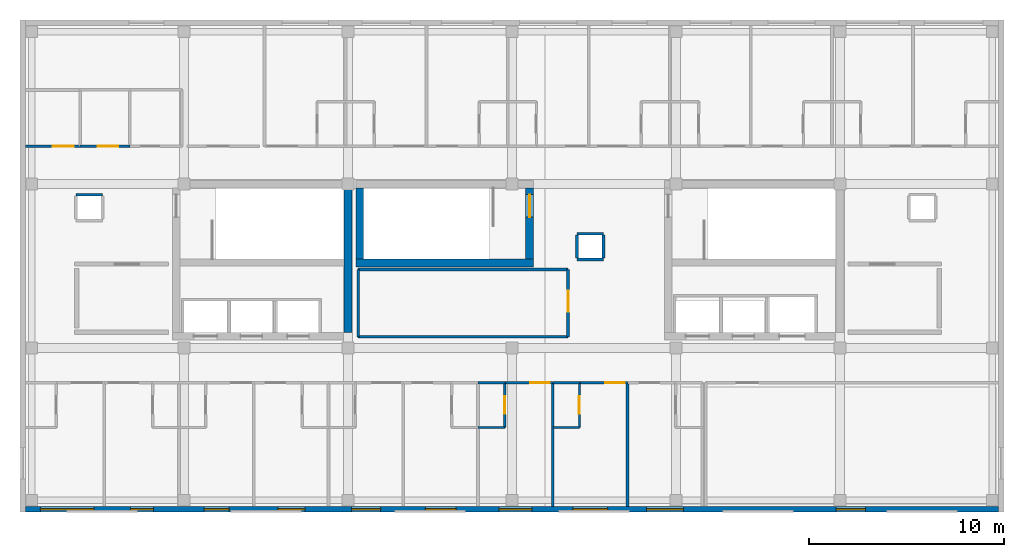
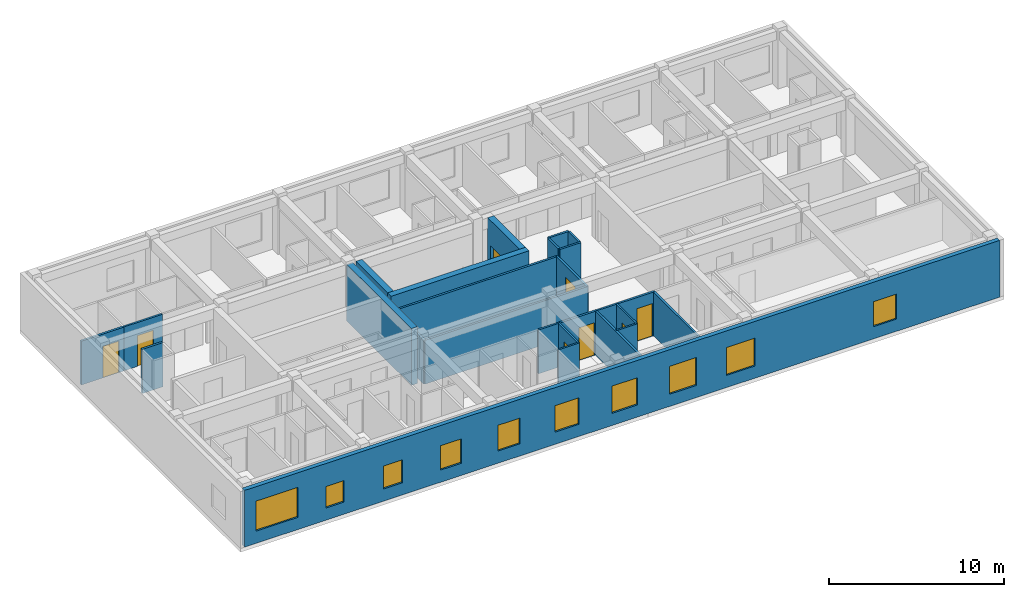
# One storey, part 3 of 7: 26 walls, 10 windows, 8 doors, 18 openings.
"""IFC4 building model written with IfcOpenShell, lengths in metres."""

import ifcopenshell
import ifcopenshell.guid

model = None  # the IFC model being written
_history = None  # IfcOwnerHistory: only IFC2X3 demands one
_inside = {}  # id of a spatial element -> (the spatial element, [elements in it])
_under = {}  # id of a project, library or spatial element -> (it, [spatial elements below it])
_declared = {}  # id of a project -> (the project, [libraries it declares])
_typed = {}  # id of a type object -> (the type object, [elements of that type])
_made_of = {}  # id of a material, layer set ... -> (it, [elements and type objects made of it])


def new_model(schema):
    """Start an empty IFC model of exactly this schema.

    Asked for "IFC4X3", IfcOpenShell would pick the latest addendum, in which some entities
    have other attributes; the version numbers below select the first issue.
    IFC2X3 requires an IfcOwnerHistory on every rooted entity: one is made here for all.
    """
    global model, _history
    if schema == "IFC4X3":
        model = ifcopenshell.file(schema_version=(4, 3, 0, 0))
    else:
        model = ifcopenshell.file(schema=schema)
    _inside.clear()
    _under.clear()
    _declared.clear()
    _typed.clear()
    _made_of.clear()
    _history = None
    if model.schema == "IFC2X3":
        org = make("IfcOrganization", Name="unknown")
        user = make(
            "IfcPersonAndOrganization",
            ThePerson=make("IfcPerson", FamilyName="unknown"),
            TheOrganization=org,
        )
        app = make(
            "IfcApplication",
            ApplicationDeveloper=org,
            Version="unknown",
            ApplicationFullName="unknown",
            ApplicationIdentifier="unknown",
        )
        _history = make(
            "IfcOwnerHistory",
            OwningUser=user,
            OwningApplication=app,
            ChangeAction="ADDED",
            CreationDate=0,
        )
    return model


def make(cls, **values):
    """One entity of the class cls with the attributes given. An attribute that is None is left unset."""
    return model.create_entity(
        cls, **{name: value for name, value in values.items() if value is not None}
    )


def rooted(cls, **values):
    """An entity with a GlobalId (a new one), such as an element, a storey or a relation."""
    return make(cls, GlobalId=ifcopenshell.guid.new(), OwnerHistory=_history, **values)


def si_unit(unit_type, name, prefix=None):
    """IfcSIUnit, for example si_unit("LENGTHUNIT", "METRE", prefix="MILLI")."""
    return make("IfcSIUnit", UnitType=unit_type, Prefix=prefix, Name=name)


def assignment(units):
    """IfcUnitAssignment: the units of a project."""
    return None if units is None else make("IfcUnitAssignment", Units=units)


def point(xyz):
    """IfcCartesianPoint."""
    return None if xyz is None else make("IfcCartesianPoint", Coordinates=xyz)


def direction(xyz):
    """IfcDirection."""
    return None if xyz is None else make("IfcDirection", DirectionRatios=xyz)


def frame(location, z_axis=None, x_axis=None):
    """IfcAxis2Placement3D, a coordinate frame: its origin and axes. An axis left out is left unset."""
    return make(
        "IfcAxis2Placement3D",
        Location=point(location),
        Axis=direction(z_axis),
        RefDirection=direction(x_axis),
    )


def frame_2d(location, x_axis=None):
    """IfcAxis2Placement2D, a coordinate frame in the plane: its origin and x axis."""
    return make(
        "IfcAxis2Placement2D", Location=point(location), RefDirection=direction(x_axis)
    )


def origin():
    """The frame at (0, 0, 0) with its axes left unset."""
    return frame((0.0, 0.0, 0.0))


def place(relative_to, where):
    """IfcLocalPlacement: puts the frame where relative to a parent placement (None: the world)."""
    return make(
        "IfcLocalPlacement", PlacementRelTo=relative_to, RelativePlacement=where
    )


def context(
    kind, dimensions, precision=None, world=None, true_north=None, identifier=None
):
    """IfcGeometricRepresentationContext, for example the 3D "Model" context."""
    return make(
        "IfcGeometricRepresentationContext",
        ContextIdentifier=identifier,
        ContextType=kind,
        CoordinateSpaceDimension=dimensions,
        Precision=precision,
        WorldCoordinateSystem=world,
        TrueNorth=true_north,
    )


def subcontext(parent, identifier, kind, view, scale=None):
    """IfcGeometricRepresentationSubContext, for example "Body" below "Model"."""
    return make(
        "IfcGeometricRepresentationSubContext",
        ContextIdentifier=identifier,
        ContextType=kind,
        ParentContext=parent,
        TargetScale=scale,
        TargetView=view,
    )


def project(units=None, contexts=None):
    """IfcProject with its units and contexts."""
    return rooted(
        "IfcProject",
        Name="project",
        RepresentationContexts=contexts,
        UnitsInContext=assignment(units),
    )


def spatial(cls, under=None, at=None, **own):
    """A site, building, storey or space (cls), placed at a placement, below another one or the project."""
    s = rooted(cls, ObjectPlacement=at, **own)
    if under is not None:
        _under.setdefault(under.id(), (under, []))[1].append(s)
    return s


def profile(cls, at=None, kind="AREA", **sizes):
    """A parametric profile (cls). Its sizes go by their IFC names, for example OverallWidth=200.0."""
    return make(cls, ProfileType=kind, Position=at, **sizes)


def rectangle(**sizes):
    """IfcRectangleProfileDef."""
    return profile("IfcRectangleProfileDef", **sizes)


def extrude(swept, where, along, depth):
    """IfcExtrudedAreaSolid: the profile swept, set in the frame where, extruded along a direction by depth."""
    return make(
        "IfcExtrudedAreaSolid",
        SweptArea=swept,
        Position=where,
        ExtrudedDirection=direction(along),
        Depth=depth,
    )


def shape(context_of_items, identifier, shape_type, items):
    """IfcShapeRepresentation: the items that make up one representation, for example the "Body"."""
    return make(
        "IfcShapeRepresentation",
        ContextOfItems=context_of_items,
        RepresentationIdentifier=identifier,
        RepresentationType=shape_type,
        Items=items,
    )


def material(Name=None, Category=None):
    """IfcMaterial."""
    return make("IfcMaterial", Name=Name, Category=Category)


def layer(
    of_material, thickness, ventilated=None, Name=None, Category=None, Priority=None
):
    """IfcMaterialLayer: one layer of a wall or slab, of a material (None: an air gap)."""
    return make(
        "IfcMaterialLayer",
        Material=of_material,
        LayerThickness=thickness,
        IsVentilated=ventilated,
        Name=Name,
        Category=Category,
        Priority=Priority,
    )


def layer_set(layers, Name=None):
    """IfcMaterialLayerSet."""
    return make("IfcMaterialLayerSet", MaterialLayers=layers, LayerSetName=Name)


def made_of(thing, what):
    """Note that an element or type object is made of a material, layer set ...; save() writes the relation."""
    if what is not None:
        _made_of.setdefault(what.id(), (what, []))[1].append(thing)
    return thing


def type_object(cls, material=None, **own):
    """A type object (cls), such as IfcWallType, which elements share."""
    return made_of(rooted(cls, **own), material)


def element(
    cls,
    number,
    at=None,
    inside=None,
    cuts=None,
    type_object=None,
    material=None,
    context=None,
    identifier="Body",
    shape_type=None,
    held_by="IfcProductDefinitionShape",
    body=None,
    shapes=None,
    **own,
):
    """One element of the class cls, such as IfcWall. Its Tag is "e" and its number.

    at: its placement. inside: the storey or other place that contains it. cuts: it is an
    opening in that element (IfcRelVoidsElement). A single representation is given by context,
    identifier, shape_type and body (its items); several are given by shapes. held_by: the class
    of the entity that holds the representations. save() writes the other relations.
    """
    e = rooted(cls, Tag="e%d" % number, ObjectPlacement=at, **own)
    if body is not None:
        shapes = [shape(context, identifier, shape_type, body)]
    if shapes is not None:
        e.Representation = make(held_by, Representations=shapes)
    if inside is not None:
        _inside.setdefault(inside.id(), (inside, []))[1].append(e)
    if cuts is not None:
        rooted(
            "IfcRelVoidsElement", RelatingBuildingElement=cuts, RelatedOpeningElement=e
        )
    if type_object is not None:
        _typed.setdefault(type_object.id(), (type_object, []))[1].append(e)
    return made_of(e, material)


def fill(opening, filler):
    """IfcRelFillsElement: the door or window that sits in an opening."""
    return rooted(
        "IfcRelFillsElement",
        RelatingOpeningElement=opening,
        RelatedBuildingElement=filler,
    )


def aggregate(whole, parts):
    """IfcRelAggregates: a whole, such as a stair, and the parts it consists of."""
    return rooted("IfcRelAggregates", RelatingObject=whole, RelatedObjects=parts)


def save(model, path):
    """Write the relations noted so far, then the file.

    IfcRelAggregates (storeys below a building ...), IfcRelContainedInSpatialStructure (elements
    in a storey), IfcRelDefinesByType, IfcRelAssociatesMaterial and IfcRelDeclares: one each for
    every whole, place, type object, material and project.
    """
    for whole, parts in _under.values():
        aggregate(whole, parts)
    for where, things in _inside.values():
        rooted(
            "IfcRelContainedInSpatialStructure",
            RelatedElements=things,
            RelatingStructure=where,
        )
    for kind, things in _typed.values():
        rooted("IfcRelDefinesByType", RelatedObjects=things, RelatingType=kind)
    for what, things in _made_of.values():
        rooted("IfcRelAssociatesMaterial", RelatedObjects=things, RelatingMaterial=what)
    for by, libraries in _declared.values():
        rooted("IfcRelDeclares", RelatingContext=by, RelatedDefinitions=libraries)
    model.write(path)


model = new_model("IFC4")

# Units and contexts
model_context = context("Model", 3, precision=1e-05, world=origin(), true_north=direction((0.0, 1.0)))
body_context = subcontext(model_context, "Body", "Model", "MODEL_VIEW")
ifc_project = project(units=[si_unit("LENGTHUNIT", "METRE"), si_unit("AREAUNIT", "SQUARE_METRE"), si_unit("VOLUMEUNIT", "CUBIC_METRE"), si_unit("PLANEANGLEUNIT", "RADIAN"), si_unit("MASSUNIT", "GRAM", prefix="KILO")], contexts=[model_context])

# Site, building, storey
site_placement = place(None, origin())
site = spatial("IfcSite", under=ifc_project, at=site_placement, CompositionType="ELEMENT")
building_placement = place(site_placement, origin())
building = spatial("IfcBuilding", under=site, at=building_placement, Name="Zayran Congress Hotel", CompositionType="ELEMENT")
storey_placement = place(building_placement, frame((0.0, 0.0, 44.39990234375)))
storey = spatial("IfcBuildingStorey", under=building, at=storey_placement, Name="L11", CompositionType="ELEMENT", Elevation=44.39990234375)

# Wall, openings, windows
ifc_material_1 = material(Name="Hajar Ma'ani limestone cavity wall and concrete C32/40", Category="masonry")
ifc_layer_1 = layer(ifc_material_1, 0.280029296875)
ifc_layer_set_1 = layer_set([ifc_layer_1], Name="Hajar Ma'ani limestone cavity wall and concrete C32/40")
wall_type_1 = type_object("IfcWallType", Name="WL-EX-280", PredefinedType="SOLIDWALL", material=ifc_layer_set_1)
wall_1_placement = place(storey_placement, frame((66.919921875, 8.93994140625, 0.0), z_axis=(0.0, 0.0, 1.0), x_axis=(-1.0, 0.0, 0.0)))
wall_1 = element("IfcWall", 1, at=wall_1_placement, inside=storey, type_object=wall_type_1, Name="EW-V5-S-L11", PredefinedType="SOLIDWALL", context=body_context, shape_type="SweptSolid", body=[
    extrude(rectangle(XDim=49.83984375, YDim=0.280029296875, at=frame_2d((24.919921875, 0.0))), origin(), (0.0, 0.0, 1.0), 3.960205078125),
])
opening_1_placement = place(wall_1_placement, frame((6.820068359375, 0.0, 0.85009765625)))
opening_1 = element("IfcOpeningElement", 2, at=opening_1_placement, cuts=wall_1, Name="Opening WN-06", PredefinedType="OPENING", context=body_context, shape_type="SweptSolid", body=[
    extrude(rectangle(XDim=1.5, YDim=1.75, at=frame_2d((0.75, 0.875))), frame((0.0, 0.14990234375, 0.0), z_axis=(0.0, -1.0, 0.0), x_axis=(1.0, 0.0, 0.0)), (0.0, 0.0, 1.0), 0.300048828125),
])
opening_2_placement = place(wall_1_placement, frame((46.3310546875, 0.0, 0.85009765625)))
opening_2 = element("IfcOpeningElement", 3, at=opening_2_placement, cuts=wall_1, Name="Opening WN-29", PredefinedType="OPENING", context=body_context, shape_type="SweptSolid", body=[
    extrude(rectangle(XDim=2.75, YDim=2.10009765625, at=frame_2d((1.375, 1.050048828125))), frame((0.0, 0.14990234375, 0.0), z_axis=(0.0, -1.0, 0.0), x_axis=(1.0, 0.0, 0.0)), (0.0, 0.0, 1.0), 0.300048828125),
])
opening_3_placement = place(wall_1_placement, frame((43.2880859375, 0.0, 0.85009765625)))
opening_3 = element("IfcOpeningElement", 4, at=opening_3_placement, cuts=wall_1, Name="Opening WN-31", PredefinedType="OPENING", context=body_context, shape_type="SweptSolid", body=[
    extrude(rectangle(XDim=1.179931640625, YDim=1.5, at=frame_2d((0.58984375, 0.75))), frame((0.0, 0.14990234375, 0.0), z_axis=(0.0, -1.0, 0.0), x_axis=(1.0, 0.0, 0.0)), (0.0, 0.0, 1.0), 0.300048828125),
])
opening_4_placement = place(wall_1_placement, frame((39.409912109375, 0.0, 0.85009765625)))
opening_4 = element("IfcOpeningElement", 5, at=opening_4_placement, cuts=wall_1, Name="Opening WN-32", PredefinedType="OPENING", context=body_context, shape_type="SweptSolid", body=[
    extrude(rectangle(XDim=1.280029296875, YDim=1.60009765625, at=frame_2d((0.64013671875, 0.800048828125))), frame((0.0, 0.14990234375, 0.0), z_axis=(0.0, -1.0, 0.0), x_axis=(1.0, 0.0, 0.0)), (0.0, 0.0, 1.0), 0.300048828125),
])
opening_5_placement = place(wall_1_placement, frame((35.532958984375, 0.0, 0.85009765625)))
opening_5 = element("IfcOpeningElement", 6, at=opening_5_placement, cuts=wall_1, Name="Opening WN-33", PredefinedType="OPENING", context=body_context, shape_type="SweptSolid", body=[
    extrude(rectangle(XDim=1.3798828125, YDim=1.699951171875, at=frame_2d((0.68994140625, 0.85009765625))), frame((0.0, 0.14990234375, 0.0), z_axis=(0.0, -1.0, 0.0), x_axis=(1.0, 0.0, 0.0)), (0.0, 0.0, 1.0), 0.300048828125),
])
opening_6_placement = place(wall_1_placement, frame((31.655029296875, 0.0, 0.85009765625)))
opening_6 = element("IfcOpeningElement", 7, at=opening_6_placement, cuts=wall_1, Name="Opening WN-34", PredefinedType="OPENING", context=body_context, shape_type="SweptSolid", body=[
    extrude(rectangle(XDim=1.47998046875, YDim=1.800048828125, at=frame_2d((0.739990234375, 0.89990234375))), frame((0.0, 0.14990234375, 0.0), z_axis=(0.0, -1.0, 0.0), x_axis=(1.0, 0.0, 0.0)), (0.0, 0.0, 1.0), 0.300048828125),
])
opening_7_placement = place(wall_1_placement, frame((27.777099609375, 0.0, 0.85009765625)))
opening_7 = element("IfcOpeningElement", 8, at=opening_7_placement, cuts=wall_1, Name="Opening WN-35", PredefinedType="OPENING", context=body_context, shape_type="SweptSolid", body=[
    extrude(rectangle(XDim=1.580078125, YDim=1.85009765625, at=frame_2d((0.7900390625, 0.925048828125))), frame((0.0, 0.14990234375, 0.0), z_axis=(0.0, -1.0, 0.0), x_axis=(1.0, 0.0, 0.0)), (0.0, 0.0, 1.0), 0.300048828125),
])
opening_8_placement = place(wall_1_placement, frame((23.89892578125, 0.0, 0.85009765625)))
opening_8 = element("IfcOpeningElement", 9, at=opening_8_placement, cuts=wall_1, Name="Opening WN-36", PredefinedType="OPENING", context=body_context, shape_type="SweptSolid", body=[
    extrude(rectangle(XDim=1.679931640625, YDim=1.89990234375, at=frame_2d((0.83984375, 0.949951171875))), frame((0.0, 0.14990234375, 0.0), z_axis=(0.0, -1.0, 0.0), x_axis=(1.0, 0.0, 0.0)), (0.0, 0.0, 1.0), 0.300048828125),
])
opening_9_placement = place(wall_1_placement, frame((20.02197265625, 0.0, 0.85009765625)))
opening_9 = element("IfcOpeningElement", 10, at=opening_9_placement, cuts=wall_1, Name="Opening WN-37", PredefinedType="OPENING", context=body_context, shape_type="SweptSolid", body=[
    extrude(rectangle(XDim=1.780029296875, YDim=1.949951171875, at=frame_2d((0.89013671875, 0.97509765625))), frame((0.0, 0.14990234375, 0.0), z_axis=(0.0, -1.0, 0.0), x_axis=(1.0, 0.0, 0.0)), (0.0, 0.0, 1.0), 0.300048828125),
])
opening_10_placement = place(wall_1_placement, frame((16.14404296875, 0.0, 0.85009765625)))
opening_10 = element("IfcOpeningElement", 11, at=opening_10_placement, cuts=wall_1, Name="Opening WN-38", PredefinedType="OPENING", context=body_context, shape_type="SweptSolid", body=[
    extrude(rectangle(XDim=1.8798828125, YDim=1.949951171875, at=frame_2d((0.93994140625, 0.97509765625))), frame((0.0, 0.14990234375, 0.0), z_axis=(0.0, -1.0, 0.0), x_axis=(1.0, 0.0, 0.0)), (0.0, 0.0, 1.0), 0.300048828125),
])
ifc_material_2 = material(Name="Anodised aluminium and low-E insulated glass", Category="aluminium")
window_type_1 = type_object("IfcWindowType", Name="TP-WN-06", PartitioningType="SINGLE_PANEL", PredefinedType="WINDOW", material=ifc_material_2)
window_1_placement = place(opening_1_placement, origin())
window_1 = element("IfcWindow", 12, at=window_1_placement, inside=storey, type_object=window_type_1, Name="WIN-V5S-L11-0465", OverallHeight=1.75, OverallWidth=1.5, PartitioningType="SINGLE_PANEL", PredefinedType="WINDOW", context=body_context, shape_type="SweptSolid", body=[
    extrude(rectangle(XDim=1.5, YDim=1.75, at=frame_2d((0.75, 0.875))), frame((0.0, 0.030029296875, 0.0), z_axis=(0.0, -1.0, 0.0), x_axis=(1.0, 0.0, 0.0)), (0.0, 0.0, 1.0), 0.06005859375),
])
fill(opening_1, window_1)
window_type_2 = type_object("IfcWindowType", Name="TP-WN-29", PartitioningType="TRIPLE_PANEL_VERTICAL", PredefinedType="WINDOW", material=ifc_material_2)
window_2_placement = place(opening_2_placement, origin())
window_2 = element("IfcWindow", 13, at=window_2_placement, inside=storey, type_object=window_type_2, Name="WIN-V5S-L11-0466", OverallHeight=2.10009765625, OverallWidth=2.75, PartitioningType="SINGLE_PANEL", PredefinedType="WINDOW", context=body_context, shape_type="SweptSolid", body=[
    extrude(rectangle(XDim=2.75, YDim=2.10009765625, at=frame_2d((1.375, 1.050048828125))), frame((0.0, 0.030029296875, 0.0), z_axis=(0.0, -1.0, 0.0), x_axis=(1.0, 0.0, 0.0)), (0.0, 0.0, 1.0), 0.06005859375),
])
fill(opening_2, window_2)
window_type_3 = type_object("IfcWindowType", Name="TP-WN-31", PartitioningType="SINGLE_PANEL", PredefinedType="WINDOW", material=ifc_material_2)
window_3_placement = place(opening_3_placement, origin())
window_3 = element("IfcWindow", 14, at=window_3_placement, inside=storey, type_object=window_type_3, Name="WIN-V5S-L11-0467", OverallHeight=1.5, OverallWidth=1.179931640625, PartitioningType="SINGLE_PANEL", PredefinedType="WINDOW", context=body_context, shape_type="SweptSolid", body=[
    extrude(rectangle(XDim=1.179931640625, YDim=1.5, at=frame_2d((0.58984375, 0.75))), frame((0.0, 0.030029296875, 0.0), z_axis=(0.0, -1.0, 0.0), x_axis=(1.0, 0.0, 0.0)), (0.0, 0.0, 1.0), 0.06005859375),
])
fill(opening_3, window_3)
window_type_4 = type_object("IfcWindowType", Name="TP-WN-32", PartitioningType="SINGLE_PANEL", PredefinedType="WINDOW", material=ifc_material_2)
window_4_placement = place(opening_4_placement, origin())
window_4 = element("IfcWindow", 15, at=window_4_placement, inside=storey, type_object=window_type_4, Name="WIN-V5S-L11-0468", OverallHeight=1.60009765625, OverallWidth=1.280029296875, PartitioningType="SINGLE_PANEL", PredefinedType="WINDOW", context=body_context, shape_type="SweptSolid", body=[
    extrude(rectangle(XDim=1.280029296875, YDim=1.60009765625, at=frame_2d((0.64013671875, 0.800048828125))), frame((0.0, 0.030029296875, 0.0), z_axis=(0.0, -1.0, 0.0), x_axis=(1.0, 0.0, 0.0)), (0.0, 0.0, 1.0), 0.06005859375),
])
fill(opening_4, window_4)
window_type_5 = type_object("IfcWindowType", Name="TP-WN-33", PartitioningType="SINGLE_PANEL", PredefinedType="WINDOW", material=ifc_material_2)
window_5_placement = place(opening_5_placement, origin())
window_5 = element("IfcWindow", 16, at=window_5_placement, inside=storey, type_object=window_type_5, Name="WIN-V5S-L11-0469", OverallHeight=1.699951171875, OverallWidth=1.3798828125, PartitioningType="SINGLE_PANEL", PredefinedType="WINDOW", context=body_context, shape_type="SweptSolid", body=[
    extrude(rectangle(XDim=1.3798828125, YDim=1.699951171875, at=frame_2d((0.68994140625, 0.85009765625))), frame((0.0, 0.030029296875, 0.0), z_axis=(0.0, -1.0, 0.0), x_axis=(1.0, 0.0, 0.0)), (0.0, 0.0, 1.0), 0.06005859375),
])
fill(opening_5, window_5)
window_type_6 = type_object("IfcWindowType", Name="TP-WN-34", PartitioningType="SINGLE_PANEL", PredefinedType="WINDOW", material=ifc_material_2)
window_6_placement = place(opening_6_placement, origin())
window_6 = element("IfcWindow", 17, at=window_6_placement, inside=storey, type_object=window_type_6, Name="WIN-V5S-L11-0470", OverallHeight=1.800048828125, OverallWidth=1.47998046875, PartitioningType="SINGLE_PANEL", PredefinedType="WINDOW", context=body_context, shape_type="SweptSolid", body=[
    extrude(rectangle(XDim=1.47998046875, YDim=1.800048828125, at=frame_2d((0.739990234375, 0.89990234375))), frame((0.0, 0.030029296875, 0.0), z_axis=(0.0, -1.0, 0.0), x_axis=(1.0, 0.0, 0.0)), (0.0, 0.0, 1.0), 0.06005859375),
])
fill(opening_6, window_6)
window_type_7 = type_object("IfcWindowType", Name="TP-WN-35", PartitioningType="DOUBLE_PANEL_VERTICAL", PredefinedType="WINDOW", material=ifc_material_2)
window_7_placement = place(opening_7_placement, origin())
window_7 = element("IfcWindow", 18, at=window_7_placement, inside=storey, type_object=window_type_7, Name="WIN-V5S-L11-0471", OverallHeight=1.85009765625, OverallWidth=1.580078125, PartitioningType="SINGLE_PANEL", PredefinedType="WINDOW", context=body_context, shape_type="SweptSolid", body=[
    extrude(rectangle(XDim=1.580078125, YDim=1.85009765625, at=frame_2d((0.7900390625, 0.925048828125))), frame((0.0, 0.030029296875, 0.0), z_axis=(0.0, -1.0, 0.0), x_axis=(1.0, 0.0, 0.0)), (0.0, 0.0, 1.0), 0.06005859375),
])
fill(opening_7, window_7)
window_type_8 = type_object("IfcWindowType", Name="TP-WN-36", PartitioningType="DOUBLE_PANEL_VERTICAL", PredefinedType="WINDOW", material=ifc_material_2)
window_8_placement = place(opening_8_placement, origin())
window_8 = element("IfcWindow", 19, at=window_8_placement, inside=storey, type_object=window_type_8, Name="WIN-V5S-L11-0472", OverallHeight=1.89990234375, OverallWidth=1.679931640625, PartitioningType="SINGLE_PANEL", PredefinedType="WINDOW", context=body_context, shape_type="SweptSolid", body=[
    extrude(rectangle(XDim=1.679931640625, YDim=1.89990234375, at=frame_2d((0.83984375, 0.949951171875))), frame((0.0, 0.030029296875, 0.0), z_axis=(0.0, -1.0, 0.0), x_axis=(1.0, 0.0, 0.0)), (0.0, 0.0, 1.0), 0.06005859375),
])
fill(opening_8, window_8)
window_type_9 = type_object("IfcWindowType", Name="TP-WN-37", PartitioningType="DOUBLE_PANEL_VERTICAL", PredefinedType="WINDOW", material=ifc_material_2)
window_9_placement = place(opening_9_placement, origin())
window_9 = element("IfcWindow", 20, at=window_9_placement, inside=storey, type_object=window_type_9, Name="WIN-V5S-L11-0473", OverallHeight=1.949951171875, OverallWidth=1.780029296875, PartitioningType="SINGLE_PANEL", PredefinedType="WINDOW", context=body_context, shape_type="SweptSolid", body=[
    extrude(rectangle(XDim=1.780029296875, YDim=1.949951171875, at=frame_2d((0.89013671875, 0.97509765625))), frame((0.0, 0.030029296875, 0.0), z_axis=(0.0, -1.0, 0.0), x_axis=(1.0, 0.0, 0.0)), (0.0, 0.0, 1.0), 0.06005859375),
])
fill(opening_9, window_9)
window_type_10 = type_object("IfcWindowType", Name="TP-WN-38", PartitioningType="DOUBLE_PANEL_VERTICAL", PredefinedType="WINDOW", material=ifc_material_2)
window_10_placement = place(opening_10_placement, origin())
window_10 = element("IfcWindow", 21, at=window_10_placement, inside=storey, type_object=window_type_10, Name="WIN-V5S-L11-0474", OverallHeight=1.949951171875, OverallWidth=1.8798828125, PartitioningType="SINGLE_PANEL", PredefinedType="WINDOW", context=body_context, shape_type="SweptSolid", body=[
    extrude(rectangle(XDim=1.8798828125, YDim=1.949951171875, at=frame_2d((0.93994140625, 0.97509765625))), frame((0.0, 0.030029296875, 0.0), z_axis=(0.0, -1.0, 0.0), x_axis=(1.0, 0.0, 0.0)), (0.0, 0.0, 1.0), 0.06005859375),
])
fill(opening_10, window_10)

# Walls
ifc_material_3 = material(Name="Concrete C40/50", Category="concrete")
ifc_layer_2 = layer(ifc_material_3, 0.39990234375)
ifc_layer_set_2 = layer_set([ifc_layer_2], Name="Concrete C40/50")
wall_type_2 = type_object("IfcWallType", Name="WL-SH-400", PredefinedType="SHEAR", material=ifc_layer_set_2)
wall_2_placement = place(storey_placement, frame((33.60009765625, 18.0, 0.0), z_axis=(0.0, 0.0, 1.0), x_axis=(0.0, 1.0, 0.0)))
element("IfcWall", 22, at=wall_2_placement, inside=storey, type_object=wall_type_2, Name="CWALL-C-V5W-L11-E", PredefinedType="SHEAR", context=body_context, shape_type="SweptSolid", body=[
    extrude(rectangle(XDim=7.39990234375, YDim=0.39990234375, at=frame_2d((3.699951171875, 0.0))), origin(), (0.0, 0.0, 1.0), 3.960205078125),
])
wall_3_placement = place(storey_placement, frame((34.0, 21.56005859375, 0.0), z_axis=(0.0, 0.0, 1.0), x_axis=(1.0, 0.0, 0.0)))
element("IfcWall", 23, at=wall_3_placement, inside=storey, type_object=wall_type_2, Name="CWALL-C-V5M-L11-S", PredefinedType="SHEAR", context=body_context, shape_type="SweptSolid", body=[
    extrude(rectangle(XDim=9.10009765625, YDim=0.39990234375, at=frame_2d((4.550048828125, 0.0))), origin(), (0.0, 0.0, 1.0), 3.960205078125),
])
wall_4_placement = place(storey_placement, frame((34.199951171875, 25.39990234375, 0.0), z_axis=(0.0, 0.0, 1.0), x_axis=(0.0, -1.0, 0.0)))
element("IfcWall", 24, at=wall_4_placement, inside=storey, type_object=wall_type_2, Name="CWALL-C-V5M-L11-W", PredefinedType="SHEAR", context=body_context, shape_type="SweptSolid", body=[
    extrude(rectangle(XDim=3.639892578125, YDim=0.39990234375, at=frame_2d((1.81982421875, 0.0))), origin(), (0.0, 0.0, 1.0), 3.960205078125),
])

# Wall, opening, door
wall_5_placement = place(storey_placement, frame((42.89990234375, 21.760009765625, 0.0), z_axis=(0.0, 0.0, 1.0), x_axis=(0.0, 1.0, 0.0)))
wall_5 = element("IfcWall", 25, at=wall_5_placement, inside=storey, type_object=wall_type_2, Name="CWALL-C-V5M-L11-E", PredefinedType="SHEAR", context=body_context, shape_type="SweptSolid", body=[
    extrude(rectangle(XDim=3.639892578125, YDim=0.39990234375, at=frame_2d((1.81982421875, 0.0))), origin(), (0.0, 0.0, 1.0), 3.960205078125),
])
opening_11_placement = place(wall_5_placement, frame((2.139892578125, 0.0, 0.0)))
opening_11 = element("IfcOpeningElement", 26, at=opening_11_placement, cuts=wall_5, Name="Opening DR-FD-90", PredefinedType="OPENING", context=body_context, shape_type="SweptSolid", body=[
    extrude(rectangle(XDim=1.14990234375, YDim=2.199951171875, at=frame_2d((0.574951171875, 1.10009765625))), frame((0.0, 0.2099609375, 0.0), z_axis=(0.0, -1.0, 0.0), x_axis=(1.0, 0.0, 0.0)), (0.0, 0.0, 1.0), 0.419921875),
])
ifc_material_4 = material(Name="Painted steel fire door assembly", Category="steel")
door_type_1 = type_object("IfcDoorType", Name="TP-DR-FD-90", OperationType="NOTDEFINED", PredefinedType="DOOR", material=ifc_material_4)
door_1_placement = place(opening_11_placement, origin())
door_1 = element("IfcDoor", 27, at=door_1_placement, inside=storey, type_object=door_type_1, Name="ST-13 Exit Stair Door L11", OperationType="SINGLE_SWING_LEFT", OverallHeight=2.199951171875, OverallWidth=1.14990234375, PredefinedType="DOOR", context=body_context, shape_type="SweptSolid", body=[
    extrude(rectangle(XDim=1.14990234375, YDim=2.199951171875, at=frame_2d((0.574951171875, 1.10009765625))), frame((0.0, 0.02490234375, 0.0), z_axis=(0.0, -1.0, 0.0), x_axis=(1.0, 0.0, 0.0)), (0.0, 0.0, 1.0), 0.050048828125),
])
fill(opening_11, door_1)

ifc_material_5 = material(Name="Hospitality guestroom acoustic partition", Category="gypsum")
ifc_layer_3 = layer(ifc_material_5, 0.139892578125)
ifc_layer_set_3 = layer_set([ifc_layer_3], Name="Hospitality guestroom acoustic partition")
wall_type_3 = type_object("IfcWallType", Name="WL-PT-140", PredefinedType="PARTITIONING", material=ifc_layer_set_3)
wall_6_placement = place(storey_placement, frame((44.8701171875, 17.77001953125, 0.0), z_axis=(0.0, 0.0, 1.0), x_axis=(0.0, 1.0, 0.0)))
wall_6 = element("IfcWall", 28, at=wall_6_placement, inside=storey, type_object=wall_type_3, Name="IW-L11-0837", PredefinedType="PARTITIONING", context=body_context, shape_type="SweptSolid", body=[
    extrude(rectangle(XDim=3.4599609375, YDim=0.139892578125, at=frame_2d((1.72998046875, 0.0))), origin(), (0.0, 0.0, 1.0), 3.06005859375),
])
opening_12_placement = place(wall_6_placement, frame((1.283935546875, 0.0, 0.0)))
opening_12 = element("IfcOpeningElement", 29, at=opening_12_placement, cuts=wall_6, Name="Opening DR-MT-01", PredefinedType="OPENING", context=body_context, shape_type="SweptSolid", body=[
    extrude(rectangle(XDim=1.080078125, YDim=2.25, at=frame_2d((0.5400390625, 1.125))), frame((0.0, 0.079833984375, 0.0), z_axis=(0.0, -1.0, 0.0), x_axis=(1.0, 0.0, 0.0)), (0.0, 0.0, 1.0), 0.159912109375),
])
ifc_material_6 = material(Name="Acoustic timber seminar room door", Category="wood")
door_type_2 = type_object("IfcDoorType", Name="TP-DR-MT-01", OperationType="NOTDEFINED", PredefinedType="DOOR", material=ifc_material_6)
door_2_placement = place(opening_12_placement, origin())
door_2 = element("IfcDoor", 30, at=door_2_placement, inside=storey, type_object=door_type_2, Name="Hospitality Gallery Lounge L11 Door", OperationType="SINGLE_SWING_LEFT", OverallHeight=2.25, OverallWidth=1.080078125, PredefinedType="DOOR", context=body_context, shape_type="SweptSolid", body=[
    extrude(rectangle(XDim=1.080078125, YDim=2.25, at=frame_2d((0.5400390625, 1.125))), frame((0.0, 0.02490234375, 0.0), z_axis=(0.0, -1.0, 0.0), x_axis=(1.0, 0.0, 0.0)), (0.0, 0.0, 1.0), 0.050048828125),
])
fill(opening_12, door_2)

wall_7_placement = place(storey_placement, frame((41.626953125, 15.419921875, 0.0), z_axis=(0.0, 0.0, 1.0), x_axis=(1.0, 0.0, 0.0)))
wall_7 = element("IfcWall", 31, at=wall_7_placement, inside=storey, type_object=wall_type_3, Name="IW-L11-0845", PredefinedType="PARTITIONING", context=body_context, shape_type="SweptSolid", body=[
    extrude(rectangle(XDim=2.45703125, YDim=0.139892578125, at=frame_2d((1.228515625, 0.0))), origin(), (0.0, 0.0, 1.0), 3.06005859375),
])
opening_13_placement = place(wall_7_placement, frame((1.31689453125, 0.0, 0.0)))
opening_13 = element("IfcOpeningElement", 32, at=opening_13_placement, cuts=wall_7, Name="Opening DR-GR-04", PredefinedType="OPENING", context=body_context, shape_type="SweptSolid", body=[
    extrude(rectangle(XDim=1.0, YDim=2.280029296875, at=frame_2d((0.5, 1.14013671875))), frame((0.0, 0.079833984375, 0.0), z_axis=(0.0, -1.0, 0.0), x_axis=(1.0, 0.0, 0.0)), (0.0, 0.0, 1.0), 0.159912109375),
])
ifc_material_7 = material(Name="Diplomatic walnut veneer entry door", Category="wood")
door_type_3 = type_object("IfcDoorType", Name="TP-DR-GR-04", OperationType="NOTDEFINED", PredefinedType="DOOR", material=ifc_material_7)
door_3_placement = place(opening_13_placement, origin())
door_3 = element("IfcDoor", 33, at=door_3_placement, inside=storey, type_object=door_type_3, Name="Guest Room L11-07 Door", OperationType="SINGLE_SWING_RIGHT", OverallHeight=2.280029296875, OverallWidth=1.0, PredefinedType="DOOR", context=body_context, shape_type="SweptSolid", body=[
    extrude(rectangle(XDim=1.0, YDim=2.280029296875, at=frame_2d((0.5, 1.14013671875))), frame((0.0, 0.02490234375, 0.0), z_axis=(0.0, -1.0, 0.0), x_axis=(1.0, 0.0, 0.0)), (0.0, 0.0, 1.0), 0.050048828125),
])
fill(opening_13, door_3)

wall_8_placement = place(storey_placement, frame((45.4541015625, 15.419921875, 0.0), z_axis=(0.0, 0.0, 1.0), x_axis=(1.0, 0.0, 0.0)))
wall_8 = element("IfcWall", 34, at=wall_8_placement, inside=storey, type_object=wall_type_3, Name="IW-L11-0846", PredefinedType="PARTITIONING", context=body_context, shape_type="SweptSolid", body=[
    extrude(rectangle(XDim=2.4580078125, YDim=0.139892578125, at=frame_2d((1.22900390625, 0.0))), origin(), (0.0, 0.0, 1.0), 3.06005859375),
])
opening_14_placement = place(wall_8_placement, frame((1.318115234375, 0.0, 0.0)))
opening_14 = element("IfcOpeningElement", 35, at=opening_14_placement, cuts=wall_8, Name="Opening DR-GR-04", PredefinedType="OPENING", context=body_context, shape_type="SweptSolid", body=[
    extrude(rectangle(XDim=1.0, YDim=2.280029296875, at=frame_2d((0.5, 1.14013671875))), frame((0.0, 0.079833984375, 0.0), z_axis=(0.0, -1.0, 0.0), x_axis=(1.0, 0.0, 0.0)), (0.0, 0.0, 1.0), 0.159912109375),
])
door_4_placement = place(opening_14_placement, origin())
door_4 = element("IfcDoor", 36, at=door_4_placement, inside=storey, type_object=door_type_3, Name="Guest Room L11-08 Door", OperationType="SINGLE_SWING_LEFT", OverallHeight=2.280029296875, OverallWidth=1.0, PredefinedType="DOOR", context=body_context, shape_type="SweptSolid", body=[
    extrude(rectangle(XDim=1.0, YDim=2.280029296875, at=frame_2d((0.5, 1.14013671875))), frame((0.0, 0.02490234375, 0.0), z_axis=(0.0, -1.0, 0.0), x_axis=(1.0, 0.0, 0.0)), (0.0, 0.0, 1.0), 0.050048828125),
])
fill(opening_14, door_4)

wall_9_placement = place(storey_placement, frame((17.080078125, 27.530029296875, 0.0), z_axis=(0.0, 0.0, 1.0), x_axis=(1.0, 0.0, 0.0)))
wall_9 = element("IfcWall", 37, at=wall_9_placement, inside=storey, type_object=wall_type_3, Name="IW-L11-0848", PredefinedType="PARTITIONING", context=body_context, shape_type="SweptSolid", body=[
    extrude(rectangle(XDim=2.7998046875, YDim=0.139892578125, at=frame_2d((1.39990234375, 0.0))), origin(), (0.0, 0.0, 1.0), 3.06005859375),
])
opening_15_placement = place(wall_9_placement, frame((1.409912109375, 0.0, 0.0)))
opening_15 = element("IfcOpeningElement", 38, at=opening_15_placement, cuts=wall_9, Name="Opening DR-PL-02", PredefinedType="OPENING", context=body_context, shape_type="SweptSolid", body=[
    extrude(rectangle(XDim=1.06005859375, YDim=2.199951171875, at=frame_2d((0.530029296875, 1.10009765625))), frame((0.0, 0.079833984375, 0.0), z_axis=(0.0, -1.0, 0.0), x_axis=(1.0, 0.0, 0.0)), (0.0, 0.0, 1.0), 0.159912109375),
])
ifc_material_8 = material(Name="Painted steel store room fire door", Category="steel")
door_type_4 = type_object("IfcDoorType", Name="TP-DR-PL-02", OperationType="NOTDEFINED", PredefinedType="DOOR", material=ifc_material_8)
door_5_placement = place(opening_15_placement, origin())
door_5 = element("IfcDoor", 39, at=door_5_placement, inside=storey, type_object=door_type_4, Name="Housekeeping and Linen Store L11 Door", OperationType="SINGLE_SWING_LEFT", OverallHeight=2.199951171875, OverallWidth=1.06005859375, PredefinedType="DOOR", context=body_context, shape_type="SweptSolid", body=[
    extrude(rectangle(XDim=1.06005859375, YDim=2.199951171875, at=frame_2d((0.530029296875, 1.10009765625))), frame((0.0, 0.02490234375, 0.0), z_axis=(0.0, -1.0, 0.0), x_axis=(1.0, 0.0, 0.0)), (0.0, 0.0, 1.0), 0.050048828125),
])
fill(opening_15, door_5)

# Walls
for number, where, z_axis, x_axis, name in (
    (40, (34.1201171875, 17.780029296875, 0.0), (0.0, 0.0, 1.0), (1.0, 0.0, 0.0), "IW-L11-2171"),
    (41, (34.1201171875, 21.219970703125, 0.0), (0.0, 0.0, 1.0), (1.0, 0.0, 0.0), "IW-L11-2172"),
):
    element("IfcWall", number, at=place(storey_placement, frame(where, z_axis=z_axis, x_axis=x_axis)), inside=storey, type_object=wall_type_3, Name=name, PredefinedType="PARTITIONING", context=body_context, shape_type="SweptSolid", body=[
        extrude(rectangle(XDim=10.759765625, YDim=0.139892578125, at=frame_2d((5.3798828125, 0.0))), origin(), (0.0, 0.0, 1.0), 3.06005859375),
    ])
wall_10_placement = place(storey_placement, frame((34.1298828125, 17.77001953125, 0.0), z_axis=(0.0, 0.0, 1.0), x_axis=(0.0, 1.0, 0.0)))
element("IfcWall", 42, at=wall_10_placement, inside=storey, type_object=wall_type_3, Name="IW-L11-2173", PredefinedType="PARTITIONING", context=body_context, shape_type="SweptSolid", body=[
    extrude(rectangle(XDim=3.4599609375, YDim=0.139892578125, at=frame_2d((1.72998046875, 0.0))), origin(), (0.0, 0.0, 1.0), 3.06005859375),
])
for number, where, z_axis, x_axis, name in (
    (43, (44.083984375, 9.080078125, 0.0), (0.0, 0.0, 1.0), (0.0, 1.0, 0.0), "IW-L11-2181"),
    (44, (47.912109375, 9.080078125, 0.0), (0.0, 0.0, 1.0), (0.0, 1.0, 0.0), "IW-L11-2182"),
):
    element("IfcWall", number, at=place(storey_placement, frame(where, z_axis=z_axis, x_axis=x_axis)), inside=storey, type_object=wall_type_3, Name=name, PredefinedType="PARTITIONING", context=body_context, shape_type="SweptSolid", body=[
        extrude(rectangle(XDim=6.349853515625, YDim=0.139892578125, at=frame_2d((3.1748046875, 0.0))), origin(), (0.0, 0.0, 1.0), 3.06005859375),
    ])
wall_11_placement = place(storey_placement, frame((21.030029296875, 25.050048828125, 0.0), z_axis=(0.0, 0.0, 1.0), x_axis=(-1.0, 0.0, 0.0)))
element("IfcWall", 45, at=wall_11_placement, inside=storey, type_object=wall_type_3, Name="RSWL-V5-L11-056-N", PredefinedType="PARTITIONING", context=body_context, shape_type="SweptSolid", body=[
    extrude(rectangle(XDim=1.360107421875, YDim=0.139892578125, at=frame_2d((0.68017578125, 0.0))), origin(), (0.0, 0.0, 1.0), 3.080078125),
])
for number, where, z_axis, x_axis, name in (
    (46, (45.330078125, 21.72998046875, 0.0), (0.0, 0.0, 1.0), (1.0, 0.0, 0.0), "RSWL-V5-L11-057-S"),
    (47, (46.68994140625, 23.050048828125, 0.0), (0.0, 0.0, 1.0), (-1.0, 0.0, 0.0), "RSWL-V5-L11-057-N"),
):
    element("IfcWall", number, at=place(storey_placement, frame(where, z_axis=z_axis, x_axis=x_axis)), inside=storey, type_object=wall_type_3, Name=name, PredefinedType="PARTITIONING", context=body_context, shape_type="SweptSolid", body=[
        extrude(rectangle(XDim=1.35986328125, YDim=0.139892578125, at=frame_2d((0.679931640625, 0.0))), origin(), (0.0, 0.0, 1.0), 3.080078125),
    ])
for number, where, z_axis, x_axis, name in (
    (48, (45.330078125, 22.97998046875, 0.0), (0.0, 0.0, 1.0), (0.0, -1.0, 0.0), "RSWL-V5-L11-057-W"),
    (49, (46.68994140625, 21.800048828125, 0.0), (0.0, 0.0, 1.0), (0.0, 1.0, 0.0), "RSWL-V5-L11-057-E"),
):
    element("IfcWall", number, at=place(storey_placement, frame(where, z_axis=z_axis, x_axis=x_axis)), inside=storey, type_object=wall_type_3, Name=name, PredefinedType="PARTITIONING", context=body_context, shape_type="SweptSolid", body=[
        extrude(rectangle(XDim=1.179931640625, YDim=0.139892578125, at=frame_2d((0.58984375, 0.0))), origin(), (0.0, 0.0, 1.0), 3.080078125),
    ])

# Wall, opening, door
ifc_material_9 = material(Name="Moisture-resistant bathroom partition", Category="gypsum")
ifc_layer_4 = layer(ifc_material_9, 0.1201171875)
ifc_layer_set_4 = layer_set([ifc_layer_4], Name="Moisture-resistant bathroom partition")
wall_type_4 = type_object("IfcWallType", Name="WL-PT-120", PredefinedType="PARTITIONING", material=ifc_layer_set_4)
wall_12_placement = place(storey_placement, frame((41.626953125, 13.1201171875, 0.0), z_axis=(0.0, 0.0, 1.0), x_axis=(0.0, 1.0, 0.0)))
wall_12 = element("IfcWall", 50, at=wall_12_placement, inside=storey, type_object=wall_type_4, Name="IW-L11-0323", PredefinedType="PARTITIONING", context=body_context, shape_type="SweptSolid", body=[
    extrude(rectangle(XDim=2.309814453125, YDim=0.1201171875, at=frame_2d((1.15478515625, 0.0))), origin(), (0.0, 0.0, 1.0), 3.06005859375),
])
opening_16_placement = place(wall_12_placement, frame((0.705078125, 0.0, 0.0)))
opening_16 = element("IfcOpeningElement", 51, at=opening_16_placement, cuts=wall_12, Name="Opening DR-BT-03", PredefinedType="OPENING", context=body_context, shape_type="SweptSolid", body=[
    extrude(rectangle(XDim=0.89990234375, YDim=2.179931640625, at=frame_2d((0.449951171875, 1.08984375))), frame((0.0, 0.070068359375, 0.0), z_axis=(0.0, -1.0, 0.0), x_axis=(1.0, 0.0, 0.0)), (0.0, 0.0, 1.0), 0.14013671875),
])
ifc_material_10 = material(Name="Suite oak en-suite bathroom door", Category="wood")
door_type_5 = type_object("IfcDoorType", Name="TP-DR-BT-03", OperationType="NOTDEFINED", PredefinedType="DOOR", material=ifc_material_10)
door_6_placement = place(opening_16_placement, origin())
door_6 = element("IfcDoor", 52, at=door_6_placement, inside=storey, type_object=door_type_5, Name="En-Suite Bathroom L11-07 Door", OperationType="SINGLE_SWING_RIGHT", OverallHeight=2.179931640625, OverallWidth=0.89990234375, PredefinedType="DOOR", context=body_context, shape_type="SweptSolid", body=[
    extrude(rectangle(XDim=0.89990234375, YDim=2.179931640625, at=frame_2d((0.449951171875, 1.08984375))), frame((0.0, 0.02490234375, 0.0), z_axis=(0.0, -1.0, 0.0), x_axis=(1.0, 0.0, 0.0)), (0.0, 0.0, 1.0), 0.050048828125),
])
fill(opening_16, door_6)

wall_13_placement = place(storey_placement, frame((45.4541015625, 13.1201171875, 0.0), z_axis=(0.0, 0.0, 1.0), x_axis=(0.0, 1.0, 0.0)))
wall_13 = element("IfcWall", 53, at=wall_13_placement, inside=storey, type_object=wall_type_4, Name="IW-L11-0324", PredefinedType="PARTITIONING", context=body_context, shape_type="SweptSolid", body=[
    extrude(rectangle(XDim=2.309814453125, YDim=0.1201171875, at=frame_2d((1.15478515625, 0.0))), origin(), (0.0, 0.0, 1.0), 3.06005859375),
])
opening_17_placement = place(wall_13_placement, frame((0.705078125, 0.0, 0.0)))
opening_17 = element("IfcOpeningElement", 54, at=opening_17_placement, cuts=wall_13, Name="Opening DR-BT-03", PredefinedType="OPENING", context=body_context, shape_type="SweptSolid", body=[
    extrude(rectangle(XDim=0.89990234375, YDim=2.179931640625, at=frame_2d((0.449951171875, 1.08984375))), frame((0.0, 0.070068359375, 0.0), z_axis=(0.0, -1.0, 0.0), x_axis=(1.0, 0.0, 0.0)), (0.0, 0.0, 1.0), 0.14013671875),
])
door_7_placement = place(opening_17_placement, origin())
door_7 = element("IfcDoor", 55, at=door_7_placement, inside=storey, type_object=door_type_5, Name="En-Suite Bathroom L11-08 Door", OperationType="SINGLE_SWING_LEFT", OverallHeight=2.179931640625, OverallWidth=0.89990234375, PredefinedType="DOOR", context=body_context, shape_type="SweptSolid", body=[
    extrude(rectangle(XDim=0.89990234375, YDim=2.179931640625, at=frame_2d((0.449951171875, 1.08984375))), frame((0.0, 0.02490234375, 0.0), z_axis=(0.0, -1.0, 0.0), x_axis=(1.0, 0.0, 0.0)), (0.0, 0.0, 1.0), 0.050048828125),
])
fill(opening_17, door_7)

wall_14_placement = place(storey_placement, frame((19.8798828125, 27.530029296875, 0.0), z_axis=(0.0, 0.0, 1.0), x_axis=(1.0, 0.0, 0.0)))
wall_14 = element("IfcWall", 56, at=wall_14_placement, inside=storey, type_object=wall_type_4, Name="IW-L11-0377", PredefinedType="PARTITIONING", context=body_context, shape_type="SweptSolid", body=[
    extrude(rectangle(XDim=2.56005859375, YDim=0.1201171875, at=frame_2d((1.280029296875, 0.0))), origin(), (0.0, 0.0, 1.0), 3.06005859375),
])
opening_18_placement = place(wall_14_placement, frame((0.9140625, 0.0, 0.0)))
opening_18 = element("IfcOpeningElement", 57, at=opening_18_placement, cuts=wall_14, Name="Opening DR-WC-02", PredefinedType="OPENING", context=body_context, shape_type="SweptSolid", body=[
    extrude(rectangle(XDim=1.0400390625, YDim=2.14990234375, at=frame_2d((0.52001953125, 1.074951171875))), frame((0.0, 0.070068359375, 0.0), z_axis=(0.0, -1.0, 0.0), x_axis=(1.0, 0.0, 0.0)), (0.0, 0.0, 1.0), 0.14013671875),
])
ifc_material_11 = material(Name="Accessible public washroom door", Category="steel")
door_type_6 = type_object("IfcDoorType", Name="TP-DR-WC-02", OperationType="NOTDEFINED", PredefinedType="DOOR", material=ifc_material_11)
door_8_placement = place(opening_18_placement, origin())
door_8 = element("IfcDoor", 58, at=door_8_placement, inside=storey, type_object=door_type_6, Name="Accessible WC L11 Door", OperationType="SINGLE_SWING_RIGHT", OverallHeight=2.14990234375, OverallWidth=1.0400390625, PredefinedType="DOOR", context=body_context, shape_type="SweptSolid", body=[
    extrude(rectangle(XDim=1.0400390625, YDim=2.14990234375, at=frame_2d((0.52001953125, 1.074951171875))), frame((0.0, 0.02490234375, 0.0), z_axis=(0.0, -1.0, 0.0), x_axis=(1.0, 0.0, 0.0)), (0.0, 0.0, 1.0), 0.050048828125),
])
fill(opening_18, door_8)

# Walls
for number, where, z_axis, x_axis, name in (
    (59, (40.26708984375, 13.1298828125, 0.0), (0.0, 0.0, 1.0), (1.0, 0.0, 0.0), "IW-L11-1513"),
    (60, (40.26708984375, 15.419921875, 0.0), (0.0, 0.0, 1.0), (1.0, 0.0, 0.0), "IW-L11-1514"),
):
    element("IfcWall", number, at=place(storey_placement, frame(where, z_axis=z_axis, x_axis=x_axis)), inside=storey, type_object=wall_type_4, Name=name, PredefinedType="PARTITIONING", context=body_context, shape_type="SweptSolid", body=[
        extrude(rectangle(XDim=1.369873046875, YDim=0.1201171875, at=frame_2d((0.68505859375, 0.0))), origin(), (0.0, 0.0, 1.0), 3.06005859375),
    ])
for number, where, z_axis, x_axis, name in (
    (61, (44.093994140625, 13.1298828125, 0.0), (0.0, 0.0, 1.0), (1.0, 0.0, 0.0), "IW-L11-1515"),
    (62, (44.093994140625, 15.419921875, 0.0), (0.0, 0.0, 1.0), (1.0, 0.0, 0.0), "IW-L11-1516"),
):
    element("IfcWall", number, at=place(storey_placement, frame(where, z_axis=z_axis, x_axis=x_axis)), inside=storey, type_object=wall_type_4, Name=name, PredefinedType="PARTITIONING", context=body_context, shape_type="SweptSolid", body=[
        extrude(rectangle(XDim=1.3701171875, YDim=0.1201171875, at=frame_2d((0.68505859375, 0.0))), origin(), (0.0, 0.0, 1.0), 3.06005859375),
    ])

save(model, "model.ifc")
